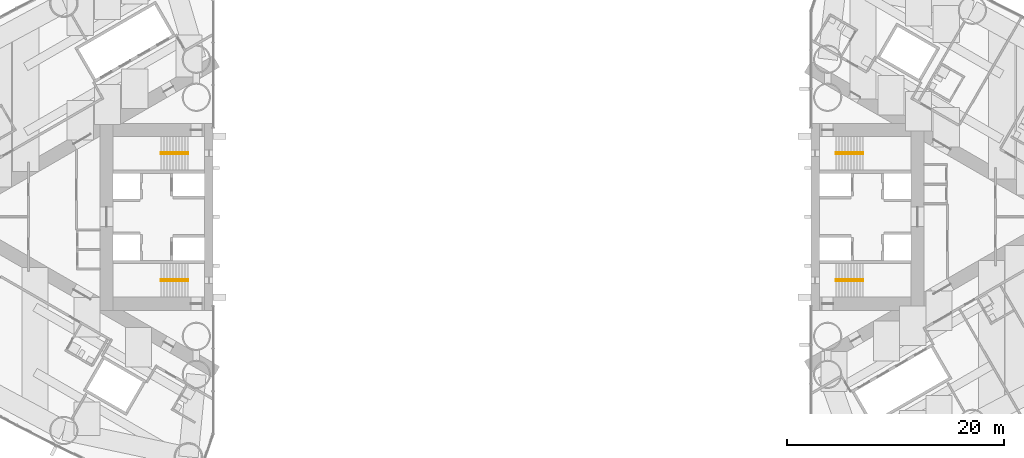
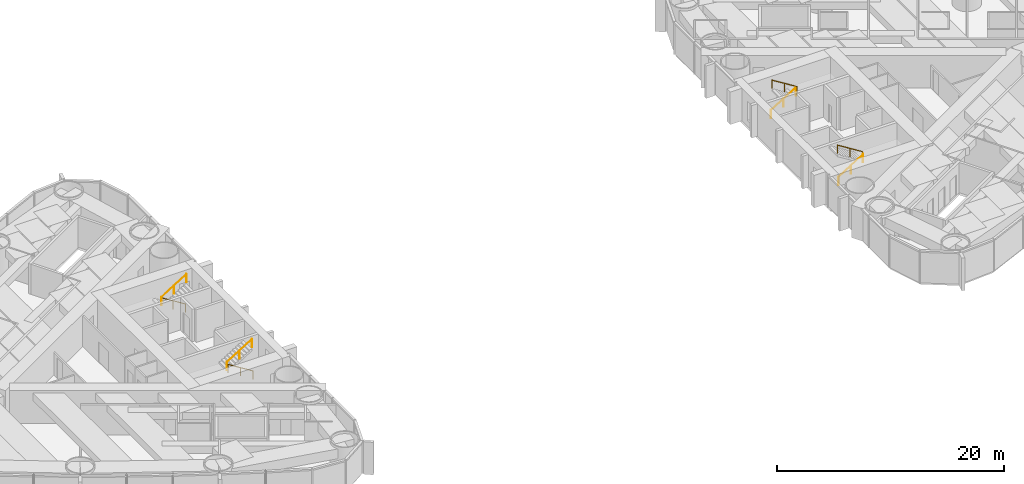
# One storey, part 18 of 19: 8 railings.
"""IFC4 building model written with IfcOpenShell, lengths in metres."""

from ifc_helpers import new_model, si_unit, direction, frame, origin, origin_2d, place, context, subcontext, project, spatial, circle, extrude, material, type_object, element, save


model = new_model("IFC4")

# Units and contexts
model_context = context("Model", 3, precision=1e-05, world=origin(), true_north=direction((0.0, 1.0)))
body_context = subcontext(model_context, "Body", "Model", "MODEL_VIEW")
ifc_project = project(units=[si_unit("LENGTHUNIT", "METRE"), si_unit("AREAUNIT", "SQUARE_METRE"), si_unit("VOLUMEUNIT", "CUBIC_METRE"), si_unit("PLANEANGLEUNIT", "RADIAN"), si_unit("MASSUNIT", "GRAM", prefix="KILO")], contexts=[model_context])

# Site, building, storey
site_placement = place(None, origin())
site = spatial("IfcSite", under=ifc_project, at=site_placement, CompositionType="ELEMENT")
building_placement = place(site_placement, origin())
building = spatial("IfcBuilding", under=site, at=building_placement, Name="Lancet Gate Hotel", CompositionType="ELEMENT")
storey_placement = place(building_placement, frame((0.0, 0.0, 111.60009765625)))
storey = spatial("IfcBuildingStorey", under=building, at=storey_placement, Name="L29", CompositionType="ELEMENT", Elevation=111.60009765625)

# Railings
ifc_material = material(Name="Stainless steel handrail", Category="steel")
railing_type = type_object("IfcRailingType", Name="Stair handrail 900", PredefinedType="HANDRAIL", material=ifc_material)
railing_1_placement = place(storey_placement, frame((-29.800048828125, 5.929931640625, 0.1748046875)))
element("IfcRailing", 1, at=railing_1_placement, inside=storey, type_object=railing_type, Name="ST1 handrail flight 1 L29", PredefinedType="HANDRAIL", context=body_context, shape_type="SweptSolid", body=[
    extrude(circle(Radius=0.02392578125, at=origin_2d()), frame((0.0, 0.0, 0.8759765625), z_axis=(-0.847970611238, 0.0, 0.530043245855), x_axis=(0.0, -1.0, 0.0)), (0.0, 0.0, 1.0), 2.971923828125),
    extrude(circle(Radius=0.02099609375, at=origin_2d()), origin(), (0.0, 0.0, 1.0), 0.851806640625),
    extrude(circle(Radius=0.02099609375, at=origin_2d()), frame((-1.260009765625, 0.0, 0.78759765625)), (0.0, 0.0, 1.0), 0.851806640625),
    extrude(circle(Radius=0.02099609375, at=origin_2d()), frame((-2.52001953125, 0.0, 1.5751953125)), (0.0, 0.0, 1.0), 0.851806640625),
])
railing_2_placement = place(storey_placement, frame((-32.320068359375, 5.77001953125, 1.9248046875)))
element("IfcRailing", 2, at=railing_2_placement, inside=storey, type_object=railing_type, Name="ST1 handrail flight 2 L29", PredefinedType="HANDRAIL", context=body_context, shape_type="SweptSolid", body=[
    extrude(circle(Radius=0.02392578125, at=origin_2d()), frame((0.0, 0.0, 0.8759765625), z_axis=(0.847970611238, 0.0, 0.530043245855), x_axis=(0.0, 1.0, 0.0)), (0.0, 0.0, 1.0), 2.971923828125),
    extrude(circle(Radius=0.02099609375, at=origin_2d()), origin(), (0.0, 0.0, 1.0), 0.851806640625),
    extrude(circle(Radius=0.02099609375, at=origin_2d()), frame((1.260009765625, 0.0, 0.78759765625)), (0.0, 0.0, 1.0), 0.851806640625),
    extrude(circle(Radius=0.02099609375, at=origin_2d()), frame((2.52001953125, 0.0, 1.5751953125)), (0.0, 0.0, 1.0), 0.851806640625),
])
railing_3_placement = place(storey_placement, frame((-29.800048828125, -5.929931640625, 0.1748046875)))
element("IfcRailing", 3, at=railing_3_placement, inside=storey, type_object=railing_type, Name="ST2 handrail flight 1 L29", PredefinedType="HANDRAIL", context=body_context, shape_type="SweptSolid", body=[
    extrude(circle(Radius=0.02392578125, at=origin_2d()), frame((0.0, 0.0, 0.8759765625), z_axis=(-0.847970611238, 0.0, 0.530043245855), x_axis=(0.0, -1.0, 0.0)), (0.0, 0.0, 1.0), 2.971923828125),
    extrude(circle(Radius=0.02099609375, at=origin_2d()), origin(), (0.0, 0.0, 1.0), 0.851806640625),
    extrude(circle(Radius=0.02099609375, at=origin_2d()), frame((-1.260009765625, 0.0, 0.78759765625)), (0.0, 0.0, 1.0), 0.851806640625),
    extrude(circle(Radius=0.02099609375, at=origin_2d()), frame((-2.52001953125, 0.0, 1.5751953125)), (0.0, 0.0, 1.0), 0.851806640625),
])
for number, where, name in (
    (4, (-32.320068359375, -5.77001953125, 1.9248046875), "ST2 handrail flight 2 L29"),
    (5, (29.800048828125, -5.929931640625, 0.1748046875), "ST3 handrail flight 1 L29"),
):
    element("IfcRailing", number, at=place(storey_placement, frame(where)), inside=storey, type_object=railing_type, Name=name, PredefinedType="HANDRAIL", context=body_context, shape_type="SweptSolid", body=[
        extrude(circle(Radius=0.02392578125, at=origin_2d()), frame((0.0, 0.0, 0.8759765625), z_axis=(0.847970611238, 0.0, 0.530043245855), x_axis=(0.0, 1.0, 0.0)), (0.0, 0.0, 1.0), 2.971923828125),
        extrude(circle(Radius=0.02099609375, at=origin_2d()), origin(), (0.0, 0.0, 1.0), 0.851806640625),
        extrude(circle(Radius=0.02099609375, at=origin_2d()), frame((1.260009765625, 0.0, 0.78759765625)), (0.0, 0.0, 1.0), 0.851806640625),
        extrude(circle(Radius=0.02099609375, at=origin_2d()), frame((2.52001953125, 0.0, 1.5751953125)), (0.0, 0.0, 1.0), 0.851806640625),
    ])
railing_4_placement = place(storey_placement, frame((32.320068359375, -5.77001953125, 1.9248046875)))
element("IfcRailing", 6, at=railing_4_placement, inside=storey, type_object=railing_type, Name="ST3 handrail flight 2 L29", PredefinedType="HANDRAIL", context=body_context, shape_type="SweptSolid", body=[
    extrude(circle(Radius=0.02392578125, at=origin_2d()), frame((0.0, 0.0, 0.8759765625), z_axis=(-0.847970611238, 0.0, 0.530043245855), x_axis=(0.0, -1.0, 0.0)), (0.0, 0.0, 1.0), 2.971923828125),
    extrude(circle(Radius=0.02099609375, at=origin_2d()), origin(), (0.0, 0.0, 1.0), 0.851806640625),
    extrude(circle(Radius=0.02099609375, at=origin_2d()), frame((-1.260009765625, 0.0, 0.78759765625)), (0.0, 0.0, 1.0), 0.851806640625),
    extrude(circle(Radius=0.02099609375, at=origin_2d()), frame((-2.52001953125, 0.0, 1.5751953125)), (0.0, 0.0, 1.0), 0.851806640625),
])
railing_5_placement = place(storey_placement, frame((29.800048828125, 5.929931640625, 0.1748046875)))
element("IfcRailing", 7, at=railing_5_placement, inside=storey, type_object=railing_type, Name="ST4 handrail flight 1 L29", PredefinedType="HANDRAIL", context=body_context, shape_type="SweptSolid", body=[
    extrude(circle(Radius=0.02392578125, at=origin_2d()), frame((0.0, 0.0, 0.8759765625), z_axis=(0.847970611238, 0.0, 0.530043245855), x_axis=(0.0, 1.0, 0.0)), (0.0, 0.0, 1.0), 2.971923828125),
    extrude(circle(Radius=0.02099609375, at=origin_2d()), origin(), (0.0, 0.0, 1.0), 0.851806640625),
    extrude(circle(Radius=0.02099609375, at=origin_2d()), frame((1.260009765625, 0.0, 0.78759765625)), (0.0, 0.0, 1.0), 0.851806640625),
    extrude(circle(Radius=0.02099609375, at=origin_2d()), frame((2.52001953125, 0.0, 1.5751953125)), (0.0, 0.0, 1.0), 0.851806640625),
])
railing_6_placement = place(storey_placement, frame((32.320068359375, 5.77001953125, 1.9248046875)))
element("IfcRailing", 8, at=railing_6_placement, inside=storey, type_object=railing_type, Name="ST4 handrail flight 2 L29", PredefinedType="HANDRAIL", context=body_context, shape_type="SweptSolid", body=[
    extrude(circle(Radius=0.02392578125, at=origin_2d()), frame((0.0, 0.0, 0.8759765625), z_axis=(-0.847970611238, 0.0, 0.530043245855), x_axis=(0.0, -1.0, 0.0)), (0.0, 0.0, 1.0), 2.971923828125),
    extrude(circle(Radius=0.02099609375, at=origin_2d()), origin(), (0.0, 0.0, 1.0), 0.851806640625),
    extrude(circle(Radius=0.02099609375, at=origin_2d()), frame((-1.260009765625, 0.0, 0.78759765625)), (0.0, 0.0, 1.0), 0.851806640625),
    extrude(circle(Radius=0.02099609375, at=origin_2d()), frame((-2.52001953125, 0.0, 1.5751953125)), (0.0, 0.0, 1.0), 0.851806640625),
])

save(model, "model.ifc")
